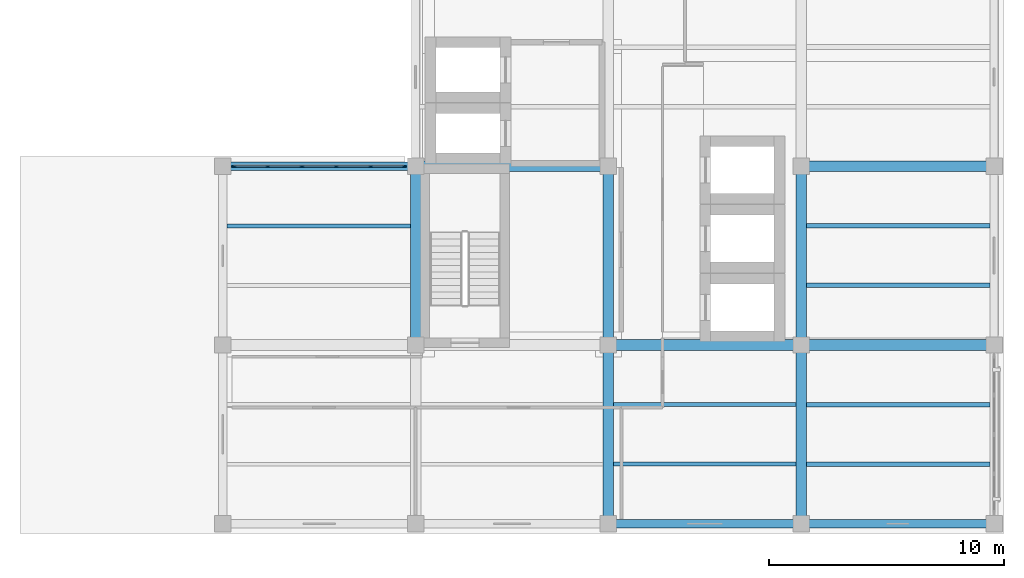
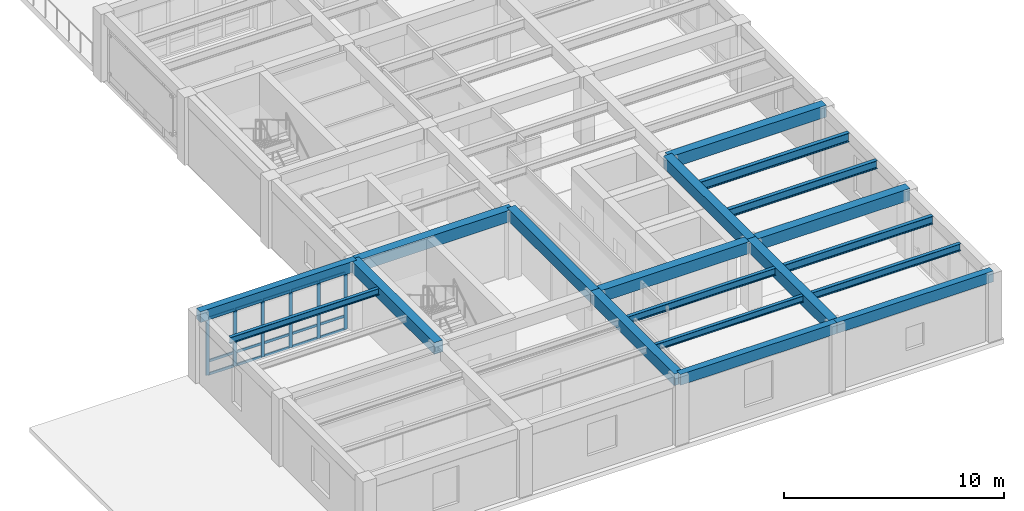
# One storey, part 2 of 11: 21 members, 19 beams, 1 element without a shape of its own.
"""IFC4 building model written with IfcOpenShell, lengths in metres."""

from ifc_helpers import new_model, si_unit, direction, frame, origin, origin_2d, place, context, subcontext, project, spatial, rectangle, i_section, extrude, material, material_profile, profile_set, type_object, element, aggregate, save


model = new_model("IFC4")

# Units and contexts
model_context = context("Model", 3, precision=1e-05, world=origin(), true_north=direction((0.0, 1.0)))
body_context = subcontext(model_context, "Body", "Model", "MODEL_VIEW")
ifc_project = project(units=[si_unit("LENGTHUNIT", "METRE"), si_unit("AREAUNIT", "SQUARE_METRE"), si_unit("VOLUMEUNIT", "CUBIC_METRE"), si_unit("PLANEANGLEUNIT", "RADIAN"), si_unit("MASSUNIT", "GRAM", prefix="KILO")], contexts=[model_context])

# Site, building, storey
site_placement = place(None, origin())
site = spatial("IfcSite", under=ifc_project, at=site_placement, CompositionType="ELEMENT")
building_placement = place(site_placement, origin())
building = spatial("IfcBuilding", under=site, at=building_placement, Name="Qandaris Square Conservatory and Botanical Centre", CompositionType="ELEMENT")
storey_placement = place(building_placement, frame((0.0, 0.0, 66.199951171875)))
storey = spatial("IfcBuildingStorey", under=building, at=storey_placement, Name="L15", CompositionType="ELEMENT", Elevation=66.199951171875)

# Beams
ifc_material_1 = material(Name="Steel S355", Category="steel")
ifc_material_profile_1 = material_profile(ifc_material_1, i_section(OverallWidth=0.18994140625, OverallDepth=0.449951171875, WebThickness=0.009521484375, FlangeThickness=0.0146484375, FilletRadius=0.02099609375, at=origin_2d()), Name="IPE 450")
ifc_profile_set_1 = profile_set([ifc_material_profile_1], Name="Steel S355")
beam_type_1 = type_object("IfcBeamType", Name="Composite Archive Joist IPE 450", PredefinedType="JOIST", material=ifc_profile_set_1)
for number, where, z_axis, x_axis, name in (
    (1, (155.824951171875, 21.666748046875, 3.525146484375), (1.0, 0.0, 0.0), (0.0, 1.0, 0.0), "L15 Composite Joist 2964"),
    (2, (155.824951171875, 26.7333984375, 3.525146484375), (1.0, 0.0, 0.0), (0.0, 1.0, 0.0), "L15 Composite Joist 2965"),
):
    element("IfcBeam", number, at=place(storey_placement, frame(where, z_axis=z_axis, x_axis=x_axis)), inside=storey, type_object=beam_type_1, Name=name, PredefinedType="JOIST", context=body_context, shape_type="SweptSolid", body=[
        extrude(i_section(OverallWidth=0.18994140625, OverallDepth=0.449951171875, WebThickness=0.009521484375, FlangeThickness=0.0146484375, FilletRadius=0.02099609375, at=origin_2d()), origin(), (0.0, 0.0, 1.0), 7.800048828125),
    ])
ifc_material_profile_2 = material_profile(ifc_material_1, i_section(OverallWidth=0.199951171875, OverallDepth=0.5, WebThickness=0.01025390625, FlangeThickness=0.01611328125, FilletRadius=0.02099609375, at=origin_2d()), Name="IPE 500")
ifc_profile_set_2 = profile_set([ifc_material_profile_2], Name="Steel S355")
beam_type_2 = type_object("IfcBeamType", Name="Composite Gallery Joist IPE 500", PredefinedType="JOIST", material=ifc_profile_set_2)
beam_1_placement = place(storey_placement, frame((155.824951171875, 29.2666015625, 3.5), z_axis=(1.0, 0.0, 0.0), x_axis=(0.0, 1.0, 0.0)))
element("IfcBeam", 3, at=beam_1_placement, inside=storey, type_object=beam_type_2, Name="L15 Composite Joist 2966", PredefinedType="JOIST", context=body_context, shape_type="SweptSolid", body=[
    extrude(i_section(OverallWidth=0.199951171875, OverallDepth=0.5, WebThickness=0.01025390625, FlangeThickness=0.01611328125, FilletRadius=0.02099609375, at=origin_2d()), origin(), (0.0, 0.0, 1.0), 7.800048828125),
])
ifc_material_profile_3 = material_profile(ifc_material_1, i_section(OverallWidth=0.169921875, OverallDepth=0.360107421875, WebThickness=0.008056640625, FlangeThickness=0.0126953125, FilletRadius=0.01806640625, at=origin_2d()), Name="IPE 360")
ifc_profile_set_3 = profile_set([ifc_material_profile_3], Name="Steel S355")
beam_type_3 = type_object("IfcBeamType", Name="Composite Lab Joist IPE 360", PredefinedType="JOIST", material=ifc_profile_set_3)
beam_2_placement = place(storey_placement, frame((131.175048828125, 29.2666015625, 3.570068359375), z_axis=(1.0, 0.0, 0.0), x_axis=(0.0, 1.0, 0.0)))
element("IfcBeam", 4, at=beam_2_placement, inside=storey, type_object=beam_type_3, Name="L15 Composite Joist 2949", PredefinedType="JOIST", context=body_context, shape_type="SweptSolid", body=[
    extrude(i_section(OverallWidth=0.169921875, OverallDepth=0.360107421875, WebThickness=0.008056640625, FlangeThickness=0.0126953125, FilletRadius=0.01806640625, at=origin_2d()), origin(), (0.0, 0.0, 1.0), 7.800048828125),
])
beam_3_placement = place(storey_placement, frame((147.625, 19.13330078125, 3.570068359375), z_axis=(1.0, 0.0, 0.0), x_axis=(0.0, 1.0, 0.0)))
element("IfcBeam", 5, at=beam_3_placement, inside=storey, type_object=beam_type_3, Name="L15 Composite Joist 2955", PredefinedType="JOIST", context=body_context, shape_type="SweptSolid", body=[
    extrude(i_section(OverallWidth=0.169921875, OverallDepth=0.360107421875, WebThickness=0.008056640625, FlangeThickness=0.0126953125, FilletRadius=0.01806640625, at=origin_2d()), origin(), (0.0, 0.0, 1.0), 7.75),
])
ifc_material_profile_4 = material_profile(ifc_material_1, i_section(OverallWidth=0.179931640625, OverallDepth=0.39990234375, WebThickness=0.008544921875, FlangeThickness=0.013427734375, FilletRadius=0.02099609375, at=origin_2d()), Name="IPE 400")
ifc_profile_set_4 = profile_set([ifc_material_profile_4], Name="Steel S355")
beam_type_4 = type_object("IfcBeamType", Name="Composite Plinth Joist IPE 400", PredefinedType="JOIST", material=ifc_profile_set_4)
beam_4_placement = place(storey_placement, frame((147.625, 21.666748046875, 3.550048828125), z_axis=(1.0, 0.0, 0.0), x_axis=(0.0, 1.0, 0.0)))
element("IfcBeam", 6, at=beam_4_placement, inside=storey, type_object=beam_type_4, Name="L15 Composite Joist 2956", PredefinedType="JOIST", context=body_context, shape_type="SweptSolid", body=[
    extrude(i_section(OverallWidth=0.179931640625, OverallDepth=0.39990234375, WebThickness=0.008544921875, FlangeThickness=0.013427734375, FilletRadius=0.02099609375, at=origin_2d()), origin(), (0.0, 0.0, 1.0), 7.75),
])
beam_5_placement = place(storey_placement, frame((155.824951171875, 19.13330078125, 3.550048828125), z_axis=(1.0, 0.0, 0.0), x_axis=(0.0, 1.0, 0.0)))
element("IfcBeam", 7, at=beam_5_placement, inside=storey, type_object=beam_type_4, Name="L15 Composite Joist 2963", PredefinedType="JOIST", context=body_context, shape_type="SweptSolid", body=[
    extrude(i_section(OverallWidth=0.179931640625, OverallDepth=0.39990234375, WebThickness=0.008544921875, FlangeThickness=0.013427734375, FilletRadius=0.02099609375, at=origin_2d()), origin(), (0.0, 0.0, 1.0), 7.800048828125),
])

# Curtain wall, members
ifc_material_2 = material(Name="Anodised Aluminium", Category="aluminium")
curtain_wall_type = type_object("IfcCurtainWallType", Name="Unitised Curtain Wall CW-4-730x316", PredefinedType="USERDEFINED", material=ifc_material_2)
curtain_wall_placement = place(storey_placement, origin())
curtain_wall = element("IfcCurtainWall", 8, at=curtain_wall_placement, inside=storey, type_object=curtain_wall_type, Name="Curtain Wall CW-TWR-L15-5-1", ObjectType="GLAZED CURTAIN WALL", PredefinedType="USERDEFINED")
ifc_material_profile_5 = material_profile(ifc_material_2, rectangle(XDim=0.06494140625, YDim=0.179931640625, at=origin_2d()), Name="ALU-MUL 65x180")
ifc_profile_set_5 = profile_set([ifc_material_profile_5], Name="Anodised Aluminium")
member_type_1 = type_object("IfcMemberType", Name="Curtain Wall Mullion 65x180", PredefinedType="MULLION", material=ifc_profile_set_5)
member_1_placement = place(storey_placement, frame((138.717529296875, 31.800048828125, 0.0), z_axis=(0.0, 0.0, 1.0), x_axis=(0.0, -1.0, 0.0)))
member_1 = element("IfcMember", 9, at=member_1_placement, type_object=member_type_1, Name="CW-4-730x316 mullion 1", PredefinedType="MULLION", context=body_context, shape_type="SweptSolid", body=[
    extrude(rectangle(XDim=0.06494140625, YDim=0.179931640625, at=origin_2d()), origin(), (0.0, 0.0, 1.0), 3.16015625),
])
member_2_placement = place(storey_placement, frame((137.2900390625, 31.800048828125, 0.0), z_axis=(0.0, 0.0, 1.0), x_axis=(0.0, -1.0, 0.0)))
member_2 = element("IfcMember", 10, at=member_2_placement, type_object=member_type_1, Name="CW-4-730x316 mullion 2", PredefinedType="MULLION", context=body_context, shape_type="SweptSolid", body=[
    extrude(rectangle(XDim=0.06494140625, YDim=0.179931640625, at=origin_2d()), origin(), (0.0, 0.0, 1.0), 3.16015625),
])
member_3_placement = place(storey_placement, frame((135.830078125, 31.800048828125, 0.0), z_axis=(0.0, 0.0, 1.0), x_axis=(0.0, -1.0, 0.0)))
member_3 = element("IfcMember", 11, at=member_3_placement, type_object=member_type_1, Name="CW-4-730x316 mullion 3", PredefinedType="MULLION", context=body_context, shape_type="SweptSolid", body=[
    extrude(rectangle(XDim=0.06494140625, YDim=0.179931640625, at=origin_2d()), origin(), (0.0, 0.0, 1.0), 3.16015625),
])
member_4_placement = place(storey_placement, frame((134.3701171875, 31.800048828125, 0.0), z_axis=(0.0, 0.0, 1.0), x_axis=(0.0, -1.0, 0.0)))
member_4 = element("IfcMember", 12, at=member_4_placement, type_object=member_type_1, Name="CW-4-730x316 mullion 4", PredefinedType="MULLION", context=body_context, shape_type="SweptSolid", body=[
    extrude(rectangle(XDim=0.06494140625, YDim=0.179931640625, at=origin_2d()), origin(), (0.0, 0.0, 1.0), 3.16015625),
])
member_5_placement = place(storey_placement, frame((132.909912109375, 31.800048828125, 0.0), z_axis=(0.0, 0.0, 1.0), x_axis=(0.0, -1.0, 0.0)))
member_5 = element("IfcMember", 13, at=member_5_placement, type_object=member_type_1, Name="CW-4-730x316 mullion 5", PredefinedType="MULLION", context=body_context, shape_type="SweptSolid", body=[
    extrude(rectangle(XDim=0.06494140625, YDim=0.179931640625, at=origin_2d()), origin(), (0.0, 0.0, 1.0), 3.16015625),
])
member_6_placement = place(storey_placement, frame((131.482421875, 31.800048828125, 0.0), z_axis=(0.0, 0.0, 1.0), x_axis=(0.0, -1.0, 0.0)))
member_6 = element("IfcMember", 14, at=member_6_placement, type_object=member_type_1, Name="CW-4-730x316 mullion 6", PredefinedType="MULLION", context=body_context, shape_type="SweptSolid", body=[
    extrude(rectangle(XDim=0.06494140625, YDim=0.179931640625, at=origin_2d()), origin(), (0.0, 0.0, 1.0), 3.16015625),
])
ifc_material_profile_6 = material_profile(ifc_material_2, rectangle(XDim=0.06494140625, YDim=0.139892578125, at=origin_2d()), Name="ALU-TRN 65x140")
ifc_profile_set_6 = profile_set([ifc_material_profile_6], Name="Anodised Aluminium")
member_type_2 = type_object("IfcMemberType", Name="Curtain Wall Transom 65x140", PredefinedType="USERDEFINED", material=ifc_profile_set_6)
member_7_placement = place(storey_placement, frame((138.68505859375, 31.800048828125, 0.032470703125), z_axis=(-1.0, 0.0, 0.0), x_axis=(0.0, -1.0, 0.0)))
member_7 = element("IfcMember", 15, at=member_7_placement, type_object=member_type_2, Name="CW-4-730x316 transom 1.1", ObjectType="TRANSOM", PredefinedType="USERDEFINED", context=body_context, shape_type="SweptSolid", body=[
    extrude(rectangle(XDim=0.06494140625, YDim=0.139892578125, at=origin_2d()), origin(), (0.0, 0.0, 1.0), 1.362548828125),
])
member_8_placement = place(storey_placement, frame((138.68505859375, 31.800048828125, 0.758544921875), z_axis=(-1.0, 0.0, 0.0), x_axis=(0.0, -1.0, 0.0)))
member_8 = element("IfcMember", 16, at=member_8_placement, type_object=member_type_2, Name="CW-4-730x316 transom 1.2", ObjectType="TRANSOM", PredefinedType="USERDEFINED", context=body_context, shape_type="SweptSolid", body=[
    extrude(rectangle(XDim=0.06494140625, YDim=0.139892578125, at=origin_2d()), origin(), (0.0, 0.0, 1.0), 1.362548828125),
])
member_9_placement = place(storey_placement, frame((138.68505859375, 31.800048828125, 3.12744140625), z_axis=(-1.0, 0.0, 0.0), x_axis=(0.0, -1.0, 0.0)))
member_9 = element("IfcMember", 17, at=member_9_placement, type_object=member_type_2, Name="CW-4-730x316 transom 1.3", ObjectType="TRANSOM", PredefinedType="USERDEFINED", context=body_context, shape_type="SweptSolid", body=[
    extrude(rectangle(XDim=0.06494140625, YDim=0.139892578125, at=origin_2d()), origin(), (0.0, 0.0, 1.0), 1.362548828125),
])
member_10_placement = place(storey_placement, frame((137.257568359375, 31.800048828125, 0.032470703125), z_axis=(-1.0, 0.0, 0.0), x_axis=(0.0, -1.0, 0.0)))
member_10 = element("IfcMember", 18, at=member_10_placement, type_object=member_type_2, Name="CW-4-730x316 transom 2.1", ObjectType="TRANSOM", PredefinedType="USERDEFINED", context=body_context, shape_type="SweptSolid", body=[
    extrude(rectangle(XDim=0.06494140625, YDim=0.139892578125, at=origin_2d()), origin(), (0.0, 0.0, 1.0), 1.39501953125),
])
member_11_placement = place(storey_placement, frame((137.257568359375, 31.800048828125, 0.758544921875), z_axis=(-1.0, 0.0, 0.0), x_axis=(0.0, -1.0, 0.0)))
member_11 = element("IfcMember", 19, at=member_11_placement, type_object=member_type_2, Name="CW-4-730x316 transom 2.2", ObjectType="TRANSOM", PredefinedType="USERDEFINED", context=body_context, shape_type="SweptSolid", body=[
    extrude(rectangle(XDim=0.06494140625, YDim=0.139892578125, at=origin_2d()), origin(), (0.0, 0.0, 1.0), 1.39501953125),
])
member_12_placement = place(storey_placement, frame((137.257568359375, 31.800048828125, 3.12744140625), z_axis=(-1.0, 0.0, 0.0), x_axis=(0.0, -1.0, 0.0)))
member_12 = element("IfcMember", 20, at=member_12_placement, type_object=member_type_2, Name="CW-4-730x316 transom 2.3", ObjectType="TRANSOM", PredefinedType="USERDEFINED", context=body_context, shape_type="SweptSolid", body=[
    extrude(rectangle(XDim=0.06494140625, YDim=0.139892578125, at=origin_2d()), origin(), (0.0, 0.0, 1.0), 1.39501953125),
])
member_13_placement = place(storey_placement, frame((135.797607421875, 31.800048828125, 0.032470703125), z_axis=(-1.0, 0.0, 0.0), x_axis=(0.0, -1.0, 0.0)))
member_13 = element("IfcMember", 21, at=member_13_placement, type_object=member_type_2, Name="CW-4-730x316 transom 3.1", ObjectType="TRANSOM", PredefinedType="USERDEFINED", context=body_context, shape_type="SweptSolid", body=[
    extrude(rectangle(XDim=0.06494140625, YDim=0.139892578125, at=origin_2d()), origin(), (0.0, 0.0, 1.0), 1.39501953125),
])
member_14_placement = place(storey_placement, frame((135.797607421875, 31.800048828125, 0.758544921875), z_axis=(-1.0, 0.0, 0.0), x_axis=(0.0, -1.0, 0.0)))
member_14 = element("IfcMember", 22, at=member_14_placement, type_object=member_type_2, Name="CW-4-730x316 transom 3.2", ObjectType="TRANSOM", PredefinedType="USERDEFINED", context=body_context, shape_type="SweptSolid", body=[
    extrude(rectangle(XDim=0.06494140625, YDim=0.139892578125, at=origin_2d()), origin(), (0.0, 0.0, 1.0), 1.39501953125),
])
member_15_placement = place(storey_placement, frame((135.797607421875, 31.800048828125, 3.12744140625), z_axis=(-1.0, 0.0, 0.0), x_axis=(0.0, -1.0, 0.0)))
member_15 = element("IfcMember", 23, at=member_15_placement, type_object=member_type_2, Name="CW-4-730x316 transom 3.3", ObjectType="TRANSOM", PredefinedType="USERDEFINED", context=body_context, shape_type="SweptSolid", body=[
    extrude(rectangle(XDim=0.06494140625, YDim=0.139892578125, at=origin_2d()), origin(), (0.0, 0.0, 1.0), 1.39501953125),
])
member_16_placement = place(storey_placement, frame((134.33740234375, 31.800048828125, 0.032470703125), z_axis=(-1.0, 0.0, 0.0), x_axis=(0.0, -1.0, 0.0)))
member_16 = element("IfcMember", 24, at=member_16_placement, type_object=member_type_2, Name="CW-4-730x316 transom 4.1", ObjectType="TRANSOM", PredefinedType="USERDEFINED", context=body_context, shape_type="SweptSolid", body=[
    extrude(rectangle(XDim=0.06494140625, YDim=0.139892578125, at=origin_2d()), origin(), (0.0, 0.0, 1.0), 1.39501953125),
])
member_17_placement = place(storey_placement, frame((134.33740234375, 31.800048828125, 0.758544921875), z_axis=(-1.0, 0.0, 0.0), x_axis=(0.0, -1.0, 0.0)))
member_17 = element("IfcMember", 25, at=member_17_placement, type_object=member_type_2, Name="CW-4-730x316 transom 4.2", ObjectType="TRANSOM", PredefinedType="USERDEFINED", context=body_context, shape_type="SweptSolid", body=[
    extrude(rectangle(XDim=0.06494140625, YDim=0.139892578125, at=origin_2d()), origin(), (0.0, 0.0, 1.0), 1.39501953125),
])
member_18_placement = place(storey_placement, frame((134.33740234375, 31.800048828125, 3.12744140625), z_axis=(-1.0, 0.0, 0.0), x_axis=(0.0, -1.0, 0.0)))
member_18 = element("IfcMember", 26, at=member_18_placement, type_object=member_type_2, Name="CW-4-730x316 transom 4.3", ObjectType="TRANSOM", PredefinedType="USERDEFINED", context=body_context, shape_type="SweptSolid", body=[
    extrude(rectangle(XDim=0.06494140625, YDim=0.139892578125, at=origin_2d()), origin(), (0.0, 0.0, 1.0), 1.39501953125),
])
member_19_placement = place(storey_placement, frame((132.87744140625, 31.800048828125, 0.032470703125), z_axis=(-1.0, 0.0, 0.0), x_axis=(0.0, -1.0, 0.0)))
member_19 = element("IfcMember", 27, at=member_19_placement, type_object=member_type_2, Name="CW-4-730x316 transom 5.1", ObjectType="TRANSOM", PredefinedType="USERDEFINED", context=body_context, shape_type="SweptSolid", body=[
    extrude(rectangle(XDim=0.06494140625, YDim=0.139892578125, at=origin_2d()), origin(), (0.0, 0.0, 1.0), 1.362548828125),
])
member_20_placement = place(storey_placement, frame((132.87744140625, 31.800048828125, 0.758544921875), z_axis=(-1.0, 0.0, 0.0), x_axis=(0.0, -1.0, 0.0)))
member_20 = element("IfcMember", 28, at=member_20_placement, type_object=member_type_2, Name="CW-4-730x316 transom 5.2", ObjectType="TRANSOM", PredefinedType="USERDEFINED", context=body_context, shape_type="SweptSolid", body=[
    extrude(rectangle(XDim=0.06494140625, YDim=0.139892578125, at=origin_2d()), origin(), (0.0, 0.0, 1.0), 1.362548828125),
])
member_21_placement = place(storey_placement, frame((132.87744140625, 31.800048828125, 3.12744140625), z_axis=(-1.0, 0.0, 0.0), x_axis=(0.0, -1.0, 0.0)))
member_21 = element("IfcMember", 29, at=member_21_placement, type_object=member_type_2, Name="CW-4-730x316 transom 5.3", ObjectType="TRANSOM", PredefinedType="USERDEFINED", context=body_context, shape_type="SweptSolid", body=[
    extrude(rectangle(XDim=0.06494140625, YDim=0.139892578125, at=origin_2d()), origin(), (0.0, 0.0, 1.0), 1.362548828125),
])
aggregate(curtain_wall, [member_1, member_2, member_3, member_4, member_5, member_6, member_7, member_8, member_9, member_10, member_11, member_12, member_13, member_14, member_15, member_16, member_17, member_18, member_19, member_20, member_21])

# Beams
ifc_material_3 = material(Name="Concrete C50/60", Category="concrete")
ifc_material_profile_7 = material_profile(ifc_material_3, rectangle(XDim=0.35009765625, YDim=0.60009765625, at=origin_2d()), Name="RC-SP 350x600")
ifc_profile_set_7 = profile_set([ifc_material_profile_7], Name="Concrete C50/60")
beam_type_5 = type_object("IfcBeamType", Name="RC Edge Spandrel Beam 350x600", PredefinedType="SPANDREL", material=ifc_profile_set_7)
beam_6_placement = place(storey_placement, frame((147.39990234375, 16.60009765625, 3.4599609375), z_axis=(1.0, 0.0, 0.0), x_axis=(0.0, 1.0, 0.0)))
element("IfcBeam", 30, at=beam_6_placement, inside=storey, type_object=beam_type_5, Name="L15 Frame Beam 2906", PredefinedType="SPANDREL", context=body_context, shape_type="SweptSolid", body=[
    extrude(rectangle(XDim=0.35009765625, YDim=0.60009765625, at=origin_2d()), origin(), (0.0, 0.0, 1.0), 8.2001953125),
])
for number, where, z_axis, x_axis, name in (
    (31, (155.60009765625, 16.60009765625, 3.4599609375), (1.0, 0.0, 0.0), (0.0, 1.0, 0.0), "L15 Frame Beam 2907"),
    (32, (131.0, 31.800048828125, 3.4599609375), (1.0, 0.0, 0.0), (0.0, 1.0, 0.0), "L15 Frame Beam 2912"),
):
    element("IfcBeam", number, at=place(storey_placement, frame(where, z_axis=z_axis, x_axis=x_axis)), inside=storey, type_object=beam_type_5, Name=name, PredefinedType="SPANDREL", context=body_context, shape_type="SweptSolid", body=[
        extrude(rectangle(XDim=0.35009765625, YDim=0.60009765625, at=origin_2d()), origin(), (0.0, 0.0, 1.0), 8.199951171875),
    ])
ifc_material_profile_8 = material_profile(ifc_material_3, rectangle(XDim=0.449951171875, YDim=0.64990234375, at=origin_2d()), Name="RC-BM 450x650")
ifc_profile_set_8 = profile_set([ifc_material_profile_8], Name="Concrete C50/60")
beam_type_6 = type_object("IfcBeamType", Name="RC Floor Girder 450x650", PredefinedType="BEAM", material=ifc_profile_set_8)
beam_7_placement = place(storey_placement, frame((147.39990234375, 24.199951171875, 3.43505859375), z_axis=(1.0, 0.0, 0.0), x_axis=(0.0, 1.0, 0.0)))
element("IfcBeam", 33, at=beam_7_placement, inside=storey, type_object=beam_type_6, Name="L15 Frame Beam 2910", PredefinedType="BEAM", context=body_context, shape_type="SweptSolid", body=[
    extrude(rectangle(XDim=0.449951171875, YDim=0.64990234375, at=origin_2d()), origin(), (0.0, 0.0, 1.0), 8.2001953125),
])
for number, where, z_axis, x_axis, name in (
    (34, (155.60009765625, 24.199951171875, 3.43505859375), (1.0, 0.0, 0.0), (0.0, 1.0, 0.0), "L15 Frame Beam 2911"),
    (35, (139.199951171875, 31.800048828125, 3.43505859375), (1.0, 0.0, 0.0), (0.0, 1.0, 0.0), "L15 Frame Beam 2913"),
    (36, (155.60009765625, 31.800048828125, 3.43505859375), (1.0, 0.0, 0.0), (0.0, 1.0, 0.0), "L15 Frame Beam 2914"),
):
    element("IfcBeam", number, at=place(storey_placement, frame(where, z_axis=z_axis, x_axis=x_axis)), inside=storey, type_object=beam_type_6, Name=name, PredefinedType="BEAM", context=body_context, shape_type="SweptSolid", body=[
        extrude(rectangle(XDim=0.449951171875, YDim=0.64990234375, at=origin_2d()), origin(), (0.0, 0.0, 1.0), 8.199951171875),
    ])
beam_8_placement = place(storey_placement, frame((139.199951171875, 24.199951171875, 3.43505859375), z_axis=(0.0, 1.0, 0.0), x_axis=(-1.0, 0.0, 0.0)))
element("IfcBeam", 37, at=beam_8_placement, inside=storey, type_object=beam_type_6, Name="L15 Frame Beam 2927", PredefinedType="BEAM", context=body_context, shape_type="SweptSolid", body=[
    extrude(rectangle(XDim=0.449951171875, YDim=0.64990234375, at=origin_2d()), origin(), (0.0, 0.0, 1.0), 7.60009765625),
])
beam_9_placement = place(storey_placement, frame((147.39990234375, 16.60009765625, 3.43505859375), z_axis=(0.0, 1.0, 0.0), x_axis=(-1.0, 0.0, 0.0)))
element("IfcBeam", 38, at=beam_9_placement, inside=storey, type_object=beam_type_6, Name="L15 Frame Beam 2931", PredefinedType="BEAM", context=body_context, shape_type="SweptSolid", body=[
    extrude(rectangle(XDim=0.449951171875, YDim=0.64990234375, at=origin_2d()), origin(), (0.0, 0.0, 1.0), 7.599853515625),
])
beam_10_placement = place(storey_placement, frame((147.39990234375, 24.199951171875, 3.43505859375), z_axis=(0.0, 1.0, 0.0), x_axis=(-1.0, 0.0, 0.0)))
element("IfcBeam", 39, at=beam_10_placement, inside=storey, type_object=beam_type_6, Name="L15 Frame Beam 2932", PredefinedType="BEAM", context=body_context, shape_type="SweptSolid", body=[
    extrude(rectangle(XDim=0.449951171875, YDim=0.64990234375, at=origin_2d()), origin(), (0.0, 0.0, 1.0), 7.60009765625),
])
beam_11_placement = place(storey_placement, frame((155.60009765625, 16.60009765625, 3.43505859375), z_axis=(0.0, 1.0, 0.0), x_axis=(-1.0, 0.0, 0.0)))
element("IfcBeam", 40, at=beam_11_placement, inside=storey, type_object=beam_type_6, Name="L15 Frame Beam 2936", PredefinedType="BEAM", context=body_context, shape_type="SweptSolid", body=[
    extrude(rectangle(XDim=0.449951171875, YDim=0.64990234375, at=origin_2d()), origin(), (0.0, 0.0, 1.0), 7.599853515625),
])
beam_12_placement = place(storey_placement, frame((155.60009765625, 24.199951171875, 3.43505859375), z_axis=(0.0, 1.0, 0.0), x_axis=(-1.0, 0.0, 0.0)))
element("IfcBeam", 41, at=beam_12_placement, inside=storey, type_object=beam_type_6, Name="L15 Frame Beam 2937", PredefinedType="BEAM", context=body_context, shape_type="SweptSolid", body=[
    extrude(rectangle(XDim=0.449951171875, YDim=0.64990234375, at=origin_2d()), origin(), (0.0, 0.0, 1.0), 7.60009765625),
])

save(model, "model.ifc")
